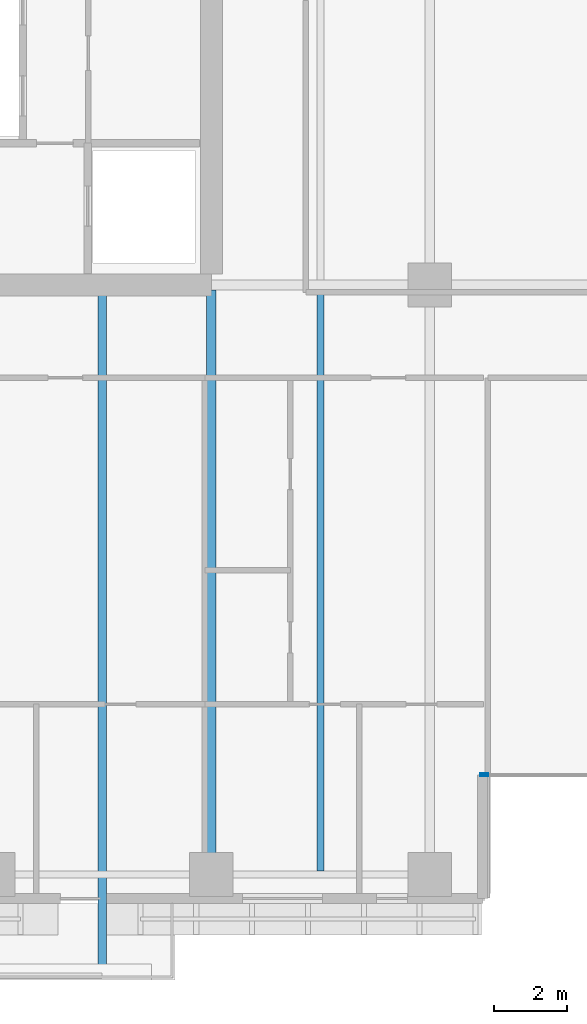
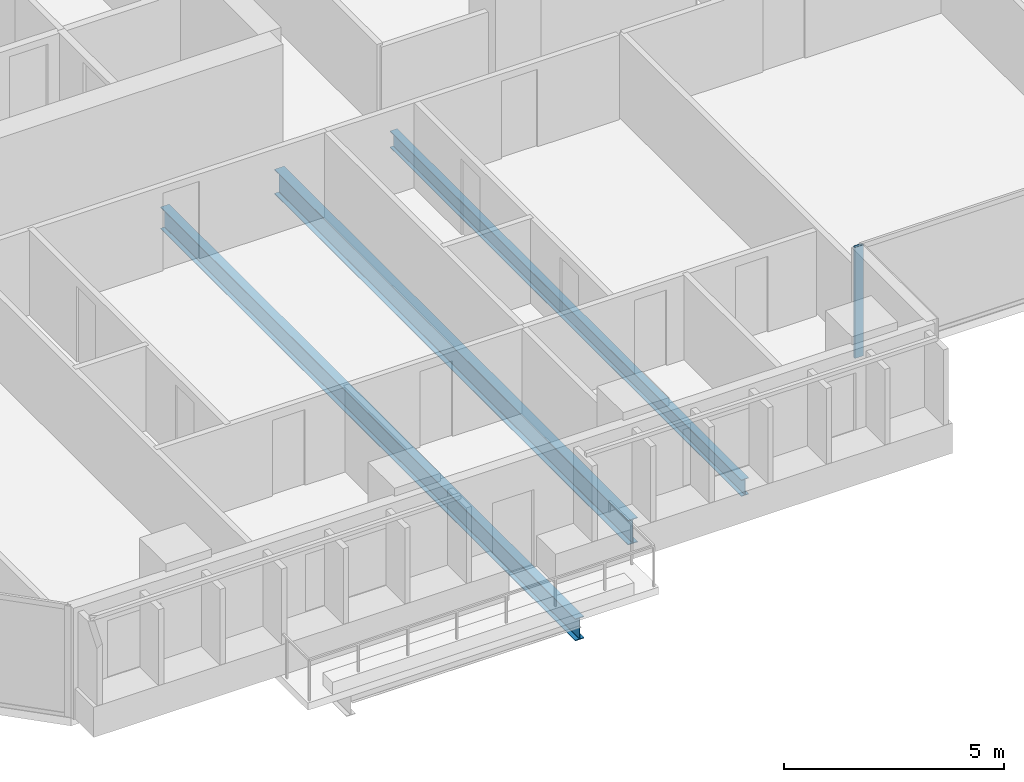
# One storey, part 4 of 33: 3 beams, 1 member, 1 element without a shape of its own.
"""IFC4 building model written with IfcOpenShell, lengths in metres."""

from ifc_helpers import new_model, si_unit, direction, frame, origin, origin_2d, place, context, subcontext, project, spatial, hollow_rectangle, i_section, extrude, material, layer, layer_set, material_profile, profile_set, type_object, element, aggregate, save


model = new_model("IFC4")

# Units and contexts
model_context = context("Model", 3, precision=1e-05, world=origin(), true_north=direction((0.0, 1.0)))
body_context = subcontext(model_context, "Body", "Model", "MODEL_VIEW")
ifc_project = project(units=[si_unit("LENGTHUNIT", "METRE"), si_unit("AREAUNIT", "SQUARE_METRE"), si_unit("VOLUMEUNIT", "CUBIC_METRE"), si_unit("PLANEANGLEUNIT", "RADIAN"), si_unit("MASSUNIT", "GRAM", prefix="KILO")], contexts=[model_context])

# Site, building, storey
site_placement = place(None, origin())
site = spatial("IfcSite", under=ifc_project, at=site_placement, CompositionType="ELEMENT")
building_placement = place(site_placement, origin())
building = spatial("IfcBuilding", under=site, at=building_placement, Name="Tanjung Sevakor Pilgrim Tower", CompositionType="ELEMENT")
storey_placement = place(building_placement, frame((0.0, 0.0, 52.139892578125)))
storey = spatial("IfcBuildingStorey", under=building, at=storey_placement, Name="L14", CompositionType="ELEMENT", Elevation=52.139892578125)

# Beams
ifc_material_1 = material(Name="Steel S355J2", Category="steel")
ifc_material_profile_1 = material_profile(ifc_material_1, i_section(OverallWidth=0.25439453125, OverallDepth=0.6875, WebThickness=0.01318359375, FlangeThickness=0.02099609375, FilletRadius=0.01513671875, at=origin_2d()))
ifc_profile_set_1 = profile_set([ifc_material_profile_1], Name="Steel S355J2")
beam_type_1 = type_object("IfcBeamType", Name="BM-B-G2-UB_686x254x152", PredefinedType="BEAM", material=ifc_profile_set_1)
beam_1_placement = place(storey_placement, frame((36.0, 8.39990234375, -0.5634765625), z_axis=(0.0, 1.0, 0.0), x_axis=(-1.0, 0.0, 0.0)))
element("IfcBeam", 1, at=beam_1_placement, inside=storey, type_object=beam_type_1, Name="L14 MAIN Girder 005", PredefinedType="BEAM", context=body_context, shape_type="SweptSolid", body=[
    extrude(i_section(OverallWidth=0.25439453125, OverallDepth=0.6875, WebThickness=0.01318359375, FlangeThickness=0.02099609375, FilletRadius=0.01513671875, at=origin_2d()), origin(), (0.0, 0.0, 1.0), 16.066162109375),
])
ifc_material_2 = material(Name="Steel S355J2", Category="steel")
ifc_material_profile_2 = material_profile(ifc_material_2, i_section(OverallWidth=0.22900390625, OverallDepth=0.6123046875, WebThickness=0.011962890625, FlangeThickness=0.01953125, FilletRadius=0.0126953125, at=origin_2d()))
ifc_profile_set_2 = profile_set([ifc_material_profile_2], Name="Steel S355J2")
beam_type_2 = type_object("IfcBeamType", Name="BM-B-G4-UB_610x229x125", PredefinedType="BEAM", material=ifc_profile_set_2)
beam_2_placement = place(storey_placement, frame((33.0, 24.466064453125, -0.52587890625), z_axis=(0.0, -1.0, 0.0), x_axis=(1.0, 0.0, 0.0)))
element("IfcBeam", 2, at=beam_2_placement, inside=storey, type_object=beam_type_2, Name="L14 Balcony Cantilever Beam MAIN-S1-2", PredefinedType="BEAM", context=body_context, shape_type="SweptSolid", body=[
    extrude(i_section(OverallWidth=0.22900390625, OverallDepth=0.6123046875, WebThickness=0.011962890625, FlangeThickness=0.01953125, FilletRadius=0.0126953125, at=origin_2d()), origin(), (0.0, 0.0, 1.0), 18.845947265625),
])
ifc_material_3 = material(Name="Steel S355J2", Category="steel")
ifc_material_profile_3 = material_profile(ifc_material_3, i_section(OverallWidth=0.19140625, OverallDepth=0.4599609375, WebThickness=0.010009765625, FlangeThickness=0.01611328125, FilletRadius=0.01025390625, at=origin_2d()))
ifc_profile_set_3 = profile_set([ifc_material_profile_3], Name="Steel S355J2")
beam_type_3 = type_object("IfcBeamType", Name="BM-B-J2-UB_457x191x82", PredefinedType="JOIST", material=ifc_profile_set_3)
beam_3_placement = place(storey_placement, frame((39.0, 8.5, -0.449951171875), z_axis=(0.0, 1.0, 0.0), x_axis=(-1.0, 0.0, 0.0)))
element("IfcBeam", 3, at=beam_3_placement, inside=storey, type_object=beam_type_3, Name="L14 MAIN Joist 007", PredefinedType="JOIST", context=body_context, shape_type="SweptSolid", body=[
    extrude(i_section(OverallWidth=0.19140625, OverallDepth=0.4599609375, WebThickness=0.010009765625, FlangeThickness=0.01611328125, FilletRadius=0.01025390625, at=origin_2d()), origin(), (0.0, 0.0, 1.0), 15.966064453125),
])

# Curtain wall, member
ifc_material_4 = material(Name="Aluminium 6063-T6 and Low-E Glass", Category="aluminium")
ifc_layer = layer(ifc_material_4, 0.179931640625)
ifc_layer_set = layer_set([ifc_layer], Name="CW-SYS-CLEFT")
curtain_wall_type = type_object("IfcCurtainWallType", Name="CW-SYS-CLEFT", PredefinedType="NOTDEFINED", material=ifc_layer_set)
curtain_wall_placement = place(storey_placement, origin())
curtain_wall = element("IfcCurtainWall", 4, at=curtain_wall_placement, inside=storey, type_object=curtain_wall_type, Name="L14 Curtain Wall CW-CLF-L14-2", PredefinedType="NOTDEFINED")
ifc_material_5 = material(Name="Aluminium 6063-T6", Category="aluminium")
ifc_material_profile_4 = material_profile(ifc_material_5, hollow_rectangle(XDim=0.074951171875, YDim=0.219970703125, WallThickness=0.0048828125, at=origin_2d()))
ifc_profile_set_4 = profile_set([ifc_material_profile_4], Name="Aluminium 6063-T6")
member_type = type_object("IfcMemberType", Name="TYPE-CWM-2", PredefinedType="MULLION", material=ifc_profile_set_4)
member_placement = place(storey_placement, frame((43.49755859375, 11.139892578125, 0.0), z_axis=(0.0, 0.0, 1.0), x_axis=(0.0, 1.0, 0.0)))
member = element("IfcMember", 5, at=member_placement, type_object=member_type, Name="CW-CLF mullion 1", PredefinedType="MULLION", context=body_context, shape_type="SweptSolid", body=[
    extrude(hollow_rectangle(XDim=0.074951171875, YDim=0.219970703125, WallThickness=0.0048828125, at=origin_2d()), origin(), (0.0, 0.0, 1.0), 3.080078125),
])
aggregate(curtain_wall, [member])

save(model, "model.ifc")
